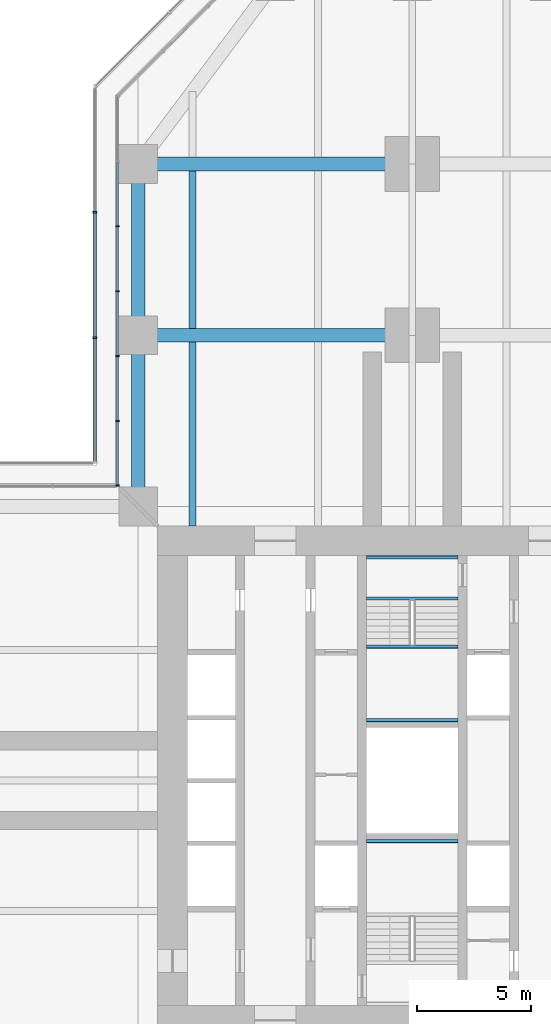
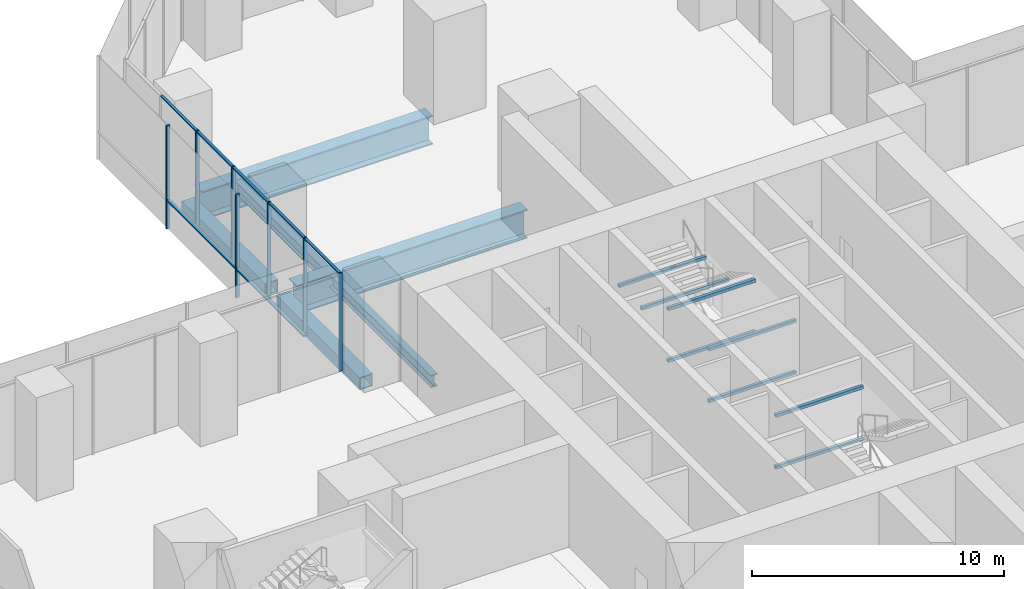
# One storey, part 8 of 23: 14 beams, 14 members, 2 elements without a shape of their own.
"""IFC4 building model written with IfcOpenShell, lengths in metres."""

from ifc_helpers import new_model, si_unit, direction, frame, origin, origin_2d, place, context, subcontext, project, spatial, rectangle, hollow_rectangle, i_section, extrude, material, material_profile, profile_set, type_object, element, aggregate, save


model = new_model("IFC4")

# Units and contexts
model_context = context("Model", 3, precision=1e-05, world=origin(), true_north=direction((0.0, 1.0)))
body_context = subcontext(model_context, "Body", "Model", "MODEL_VIEW")
ifc_project = project(units=[si_unit("LENGTHUNIT", "METRE"), si_unit("AREAUNIT", "SQUARE_METRE"), si_unit("VOLUMEUNIT", "CUBIC_METRE"), si_unit("PLANEANGLEUNIT", "RADIAN"), si_unit("MASSUNIT", "GRAM", prefix="KILO")], contexts=[model_context])

# Site, building, storey
site_placement = place(None, origin())
site = spatial("IfcSite", under=ifc_project, at=site_placement, CompositionType="ELEMENT")
building_placement = place(site_placement, origin())
building = spatial("IfcBuilding", under=site, at=building_placement, Name="Mizan Broadcast Tower", CompositionType="ELEMENT")
storey_placement = place(building_placement, frame((0.0, 0.0, 23.0)))
storey = spatial("IfcBuildingStorey", under=building, at=storey_placement, Name="L03", CompositionType="ELEMENT", Elevation=23.0)

# Beams
ifc_material_1 = material(Name="Steel S355", Category="steel")
ifc_material_profile_1 = material_profile(ifc_material_1, hollow_rectangle(XDim=0.60009765625, YDim=0.60009765625, WallThickness=0.0400390625, at=origin_2d()), Name="BOX 600x600x40")
ifc_profile_set_1 = profile_set([ifc_material_profile_1], Name="Steel S355")
beam_type_1 = type_object("IfcBeamType", Name="EDGE BEAM BOX 600x600x40", PredefinedType="SPANDREL", material=ifc_profile_set_1)
for number, where, z_axis, x_axis, name in (
    (1, (-12.0, 12.449951171875, -0.550048828125), (0.0, 1.0, 0.0), (-1.0, 0.0, 0.0), "Edge beam BOX 600x600x40 L03 north arm"),
    (2, (-12.0, 19.949951171875, -0.550048828125), (0.0, 1.0, 0.0), (-1.0, 0.0, 0.0), "Edge beam BOX 600x600x40 L03 north arm"),
):
    element("IfcBeam", number, at=place(storey_placement, frame(where, z_axis=z_axis, x_axis=x_axis)), inside=storey, type_object=beam_type_1, Name=name, PredefinedType="SPANDREL", context=body_context, shape_type="SweptSolid", body=[
        extrude(hollow_rectangle(XDim=0.60009765625, YDim=0.60009765625, WallThickness=0.0400390625, at=origin_2d()), origin(), (0.0, 0.0, 1.0), 6.60009765625),
    ])
ifc_material_2 = material(Name="Steel S460", Category="steel")
ifc_material_profile_2 = material_profile(ifc_material_2, i_section(OverallWidth=0.60009765625, OverallDepth=1.39990234375, WebThickness=0.02490234375, FlangeThickness=0.06005859375, at=origin_2d()), Name="WPG 1400x600")
ifc_profile_set_2 = profile_set([ifc_material_profile_2], Name="Steel S460")
beam_type_2 = type_object("IfcBeamType", Name="GIRDER WPG 1400x600", PredefinedType="BEAM", material=ifc_profile_set_2)
for number, where, z_axis, x_axis, name in (
    (3, (-0.719970703125, 19.5, -0.949951171875), (-1.0, 0.0, 0.0), (0.0, -1.0, 0.0), "Girder WPG 1400x600 L03 north arm"),
    (4, (-0.719970703125, 27.0, -0.949951171875), (-1.0, 0.0, 0.0), (0.0, -1.0, 0.0), "Girder WPG 1400x600 L03 north arm"),
):
    element("IfcBeam", number, at=place(storey_placement, frame(where, z_axis=z_axis, x_axis=x_axis)), inside=storey, type_object=beam_type_2, Name=name, PredefinedType="BEAM", context=body_context, shape_type="SweptSolid", body=[
        extrude(i_section(OverallWidth=0.60009765625, OverallDepth=1.39990234375, WebThickness=0.02490234375, FlangeThickness=0.06005859375, at=origin_2d()), origin(), (0.0, 0.0, 1.0), 10.56005859375),
    ])

# Curtain wall, members
ifc_material_3 = material(Name="Aluminium framed glazing", Category="aluminium")
curtain_wall_type_1 = type_object("IfcCurtainWallType", Name="PODIUM CURTAIN WALL", PredefinedType="USERDEFINED", material=ifc_material_3)
curtain_wall_1_placement = place(storey_placement, origin())
curtain_wall_1 = element("IfcCurtainWall", 5, at=curtain_wall_1_placement, inside=storey, type_object=curtain_wall_type_1, Name="Podium curtain wall L03 N side", ObjectType="PODIUM CURTAIN WALL", PredefinedType="USERDEFINED")
ifc_material_4 = material(Name="Aluminium, pale anodised", Category="aluminium")
ifc_material_profile_3 = material_profile(ifc_material_4, rectangle(XDim=0.159912109375, YDim=0.06005859375, at=origin_2d()), Name="MULLION 160x60")
ifc_profile_set_3 = profile_set([ifc_material_profile_3], Name="Aluminium, pale anodised")
member_type_1 = type_object("IfcMemberType", Name="INNER SKIN MULLION 60x160", PredefinedType="MULLION", material=ifc_profile_set_3)
member_1_placement = place(storey_placement, frame((-12.89990234375, 24.2724609375, 0.0), z_axis=(0.0, 0.0, 1.0), x_axis=(1.0, 0.0, 0.0)))
member_1 = element("IfcMember", 6, at=member_1_placement, type_object=member_type_1, Name="Podium curtain wall L03 N side mullion 3", PredefinedType="MULLION", context=body_context, shape_type="SweptSolid", body=[
    extrude(rectangle(XDim=0.159912109375, YDim=0.06005859375, at=origin_2d()), origin(), (0.0, 0.0, 1.0), 4.75),
])
member_2_placement = place(storey_placement, frame((-12.89990234375, 21.42919921875, 0.0), z_axis=(0.0, 0.0, 1.0), x_axis=(1.0, 0.0, 0.0)))
member_2 = element("IfcMember", 7, at=member_2_placement, type_object=member_type_1, Name="Podium curtain wall L03 N side mullion 4", PredefinedType="MULLION", context=body_context, shape_type="SweptSolid", body=[
    extrude(rectangle(XDim=0.159912109375, YDim=0.06005859375, at=origin_2d()), origin(), (0.0, 0.0, 1.0), 4.75),
])
member_3_placement = place(storey_placement, frame((-12.89990234375, 18.586181640625, 0.0), z_axis=(0.0, 0.0, 1.0), x_axis=(1.0, 0.0, 0.0)))
member_3 = element("IfcMember", 8, at=member_3_placement, type_object=member_type_1, Name="Podium curtain wall L03 N side mullion 5", PredefinedType="MULLION", context=body_context, shape_type="SweptSolid", body=[
    extrude(rectangle(XDim=0.159912109375, YDim=0.06005859375, at=origin_2d()), origin(), (0.0, 0.0, 1.0), 4.75),
])
member_4_placement = place(storey_placement, frame((-12.89990234375, 15.7431640625, 0.0), z_axis=(0.0, 0.0, 1.0), x_axis=(1.0, 0.0, 0.0)))
member_4 = element("IfcMember", 9, at=member_4_placement, type_object=member_type_1, Name="Podium curtain wall L03 N side mullion 6", PredefinedType="MULLION", context=body_context, shape_type="SweptSolid", body=[
    extrude(rectangle(XDim=0.159912109375, YDim=0.06005859375, at=origin_2d()), origin(), (0.0, 0.0, 1.0), 4.75),
])
member_5_placement = place(storey_placement, frame((-12.89990234375, 12.929931640625, 0.0), z_axis=(0.0, 0.0, 1.0), x_axis=(1.0, 0.0, 0.0)))
member_5 = element("IfcMember", 10, at=member_5_placement, type_object=member_type_1, Name="Podium curtain wall L03 N side mullion 7", PredefinedType="MULLION", context=body_context, shape_type="SweptSolid", body=[
    extrude(rectangle(XDim=0.159912109375, YDim=0.06005859375, at=origin_2d()), origin(), (0.0, 0.0, 1.0), 4.75),
])
ifc_material_5 = material(Name="Aluminium, pale anodised", Category="aluminium")
ifc_material_profile_4 = material_profile(ifc_material_5, rectangle(XDim=0.1201171875, YDim=0.06005859375, at=origin_2d()), Name="TRANSOM 120x60")
ifc_profile_set_4 = profile_set([ifc_material_profile_4], Name="Aluminium, pale anodised")
member_type_2 = type_object("IfcMemberType", Name="INNER SKIN TRANSOM 60x120", PredefinedType="USERDEFINED", material=ifc_profile_set_4)
member_6_placement = place(storey_placement, frame((-12.89990234375, 27.08544921875, 4.719970703125), z_axis=(0.0, -1.0, 0.0), x_axis=(1.0, 0.0, 0.0)))
member_6 = element("IfcMember", 11, at=member_6_placement, type_object=member_type_2, Name="Podium curtain wall L03 N side transom 2.1", ObjectType="TRANSOM", PredefinedType="USERDEFINED", context=body_context, shape_type="SweptSolid", body=[
    extrude(rectangle(XDim=0.1201171875, YDim=0.06005859375, at=origin_2d()), origin(), (0.0, 0.0, 1.0), 2.782958984375),
])
member_7_placement = place(storey_placement, frame((-12.89990234375, 24.242431640625, 4.719970703125), z_axis=(0.0, -1.0, 0.0), x_axis=(1.0, 0.0, 0.0)))
member_7 = element("IfcMember", 12, at=member_7_placement, type_object=member_type_2, Name="Podium curtain wall L03 N side transom 3.1", ObjectType="TRANSOM", PredefinedType="USERDEFINED", context=body_context, shape_type="SweptSolid", body=[
    extrude(rectangle(XDim=0.1201171875, YDim=0.06005859375, at=origin_2d()), origin(), (0.0, 0.0, 1.0), 2.783203125),
])
member_8_placement = place(storey_placement, frame((-12.89990234375, 21.399169921875, 4.719970703125), z_axis=(0.0, -1.0, 0.0), x_axis=(1.0, 0.0, 0.0)))
member_8 = element("IfcMember", 13, at=member_8_placement, type_object=member_type_2, Name="Podium curtain wall L03 N side transom 4.1", ObjectType="TRANSOM", PredefinedType="USERDEFINED", context=body_context, shape_type="SweptSolid", body=[
    extrude(rectangle(XDim=0.1201171875, YDim=0.06005859375, at=origin_2d()), origin(), (0.0, 0.0, 1.0), 2.782958984375),
])
member_9_placement = place(storey_placement, frame((-12.89990234375, 18.55615234375, 4.719970703125), z_axis=(0.0, -1.0, 0.0), x_axis=(1.0, 0.0, 0.0)))
member_9 = element("IfcMember", 14, at=member_9_placement, type_object=member_type_2, Name="Podium curtain wall L03 N side transom 5.1", ObjectType="TRANSOM", PredefinedType="USERDEFINED", context=body_context, shape_type="SweptSolid", body=[
    extrude(rectangle(XDim=0.1201171875, YDim=0.06005859375, at=origin_2d()), origin(), (0.0, 0.0, 1.0), 2.782958984375),
])
member_10_placement = place(storey_placement, frame((-12.89990234375, 15.713134765625, 4.719970703125), z_axis=(0.0, -1.0, 0.0), x_axis=(1.0, 0.0, 0.0)))
member_10 = element("IfcMember", 15, at=member_10_placement, type_object=member_type_2, Name="Podium curtain wall L03 N side transom 6.1", ObjectType="TRANSOM", PredefinedType="USERDEFINED", context=body_context, shape_type="SweptSolid", body=[
    extrude(rectangle(XDim=0.1201171875, YDim=0.06005859375, at=origin_2d()), origin(), (0.0, 0.0, 1.0), 2.753173828125),
])
aggregate(curtain_wall_1, [member_1, member_2, member_3, member_4, member_5, member_6, member_7, member_8, member_9, member_10])

# Beams
ifc_material_6 = material(Name="Steel S355", Category="steel")
ifc_material_profile_5 = material_profile(ifc_material_6, hollow_rectangle(XDim=0.14990234375, YDim=0.14990234375, WallThickness=0.008056640625, InnerFilletRadius=0.008056640625, OuterFilletRadius=0.011962890625, at=origin_2d()), Name="SHS 150x150x8")
ifc_profile_set_5 = profile_set([ifc_material_profile_5], Name="Steel S355")
beam_type_3 = type_object("IfcBeamType", Name="LANDING TRIMMER SHS 150x150x8", PredefinedType="BEAM", material=ifc_profile_set_5)
for number, where, z_axis, x_axis, name in (
    (16, (-2.0, -2.64990234375, 0.97509765625), (1.0, 0.0, 0.0), (0.0, 1.0, 0.0), "Stair A landing trimmer L03"),
    (17, (-2.0, -2.64990234375, 3.47509765625), (1.0, 0.0, 0.0), (0.0, 1.0, 0.0), "Stair A landing trimmer L03"),
    (18, (2.0, 5.864990234375, 0.97509765625), (-1.0, 0.0, 0.0), (0.0, -1.0, 0.0), "Stair B landing trimmer L03"),
    (19, (2.0, 2.64990234375, 0.97509765625), (-1.0, 0.0, 0.0), (0.0, -1.0, 0.0), "Stair B landing trimmer L03"),
    (20, (2.0, 9.77490234375, 2.22509765625), (-1.0, 0.0, 0.0), (0.0, -1.0, 0.0), "Stair B landing trimmer L03"),
    (21, (2.0, 7.97509765625, 2.22509765625), (-1.0, 0.0, 0.0), (0.0, -1.0, 0.0), "Stair B landing trimmer L03"),
    (22, (2.0, 5.864990234375, 3.47509765625), (-1.0, 0.0, 0.0), (0.0, -1.0, 0.0), "Stair B landing trimmer L03"),
    (23, (2.0, 2.64990234375, 3.47509765625), (-1.0, 0.0, 0.0), (0.0, -1.0, 0.0), "Stair B landing trimmer L03"),
):
    element("IfcBeam", number, at=place(storey_placement, frame(where, z_axis=z_axis, x_axis=x_axis)), inside=storey, type_object=beam_type_3, Name=name, PredefinedType="BEAM", context=body_context, shape_type="SweptSolid", body=[
        extrude(hollow_rectangle(XDim=0.14990234375, YDim=0.14990234375, WallThickness=0.008056640625, InnerFilletRadius=0.008056640625, OuterFilletRadius=0.011962890625, at=origin_2d()), origin(), (0.0, 0.0, 1.0), 4.0),
    ])

# Curtain wall, members
ifc_material_7 = material(Name="Aluminium framed glazing", Category="aluminium")
curtain_wall_type_2 = type_object("IfcCurtainWallType", Name="OUTER SKIN", PredefinedType="USERDEFINED", material=ifc_material_7)
curtain_wall_2_placement = place(storey_placement, origin())
curtain_wall_2 = element("IfcCurtainWall", 24, at=curtain_wall_2_placement, inside=storey, type_object=curtain_wall_type_2, Name="Outer skin L03 N side", ObjectType="OUTER SKIN", PredefinedType="USERDEFINED")
ifc_material_8 = material(Name="Aluminium, pale anodised", Category="aluminium")
ifc_material_profile_6 = material_profile(ifc_material_8, rectangle(XDim=0.159912109375, YDim=0.080078125, at=origin_2d()), Name="MULLION 160x80")
ifc_profile_set_6 = profile_set([ifc_material_profile_6], Name="Aluminium, pale anodised")
member_type_3 = type_object("IfcMemberType", Name="OUTER SKIN MULLION 80x160", PredefinedType="MULLION", material=ifc_profile_set_6)
member_11_placement = place(storey_placement, frame((-13.89990234375, 24.8818359375, 0.0), z_axis=(0.0, 0.0, 1.0), x_axis=(1.0, 0.0, 0.0)))
member_11 = element("IfcMember", 25, at=member_11_placement, type_object=member_type_3, Name="Outer skin L03 N side mullion 2", PredefinedType="MULLION", context=body_context, shape_type="SweptSolid", body=[
    extrude(rectangle(XDim=0.159912109375, YDim=0.080078125, at=origin_2d()), origin(), (0.0, 0.0, 1.0), 5.0),
])
member_12_placement = place(storey_placement, frame((-13.89990234375, 19.390869140625, 0.0), z_axis=(0.0, 0.0, 1.0), x_axis=(1.0, 0.0, 0.0)))
member_12 = element("IfcMember", 26, at=member_12_placement, type_object=member_type_3, Name="Outer skin L03 N side mullion 3", PredefinedType="MULLION", context=body_context, shape_type="SweptSolid", body=[
    extrude(rectangle(XDim=0.159912109375, YDim=0.080078125, at=origin_2d()), origin(), (0.0, 0.0, 1.0), 5.0),
])
ifc_material_9 = material(Name="Aluminium, pale anodised", Category="aluminium")
ifc_material_profile_7 = material_profile(ifc_material_9, rectangle(XDim=0.159912109375, YDim=0.06005859375, at=origin_2d()), Name="TRANSOM 160x60")
ifc_profile_set_7 = profile_set([ifc_material_profile_7], Name="Aluminium, pale anodised")
member_type_4 = type_object("IfcMemberType", Name="OUTER SKIN TRANSOM 60x160", PredefinedType="USERDEFINED", material=ifc_profile_set_7)
member_13_placement = place(storey_placement, frame((-13.89990234375, 24.841796875, 1.39990234375), z_axis=(0.0, -1.0, 0.0), x_axis=(1.0, 0.0, 0.0)))
member_13 = element("IfcMember", 27, at=member_13_placement, type_object=member_type_4, Name="Outer skin L03 N side transom 2.1", ObjectType="TRANSOM", PredefinedType="USERDEFINED", context=body_context, shape_type="SweptSolid", body=[
    extrude(rectangle(XDim=0.159912109375, YDim=0.06005859375, at=origin_2d()), origin(), (0.0, 0.0, 1.0), 5.410888671875),
])
member_14_placement = place(storey_placement, frame((-13.89990234375, 19.350830078125, 1.39990234375), z_axis=(0.0, -1.0, 0.0), x_axis=(1.0, 0.0, 0.0)))
member_14 = element("IfcMember", 28, at=member_14_placement, type_object=member_type_4, Name="Outer skin L03 N side transom 3.1", ObjectType="TRANSOM", PredefinedType="USERDEFINED", context=body_context, shape_type="SweptSolid", body=[
    extrude(rectangle(XDim=0.159912109375, YDim=0.06005859375, at=origin_2d()), origin(), (0.0, 0.0, 1.0), 5.370849609375),
])
aggregate(curtain_wall_2, [member_11, member_12, member_13, member_14])

# Beams
ifc_material_10 = material(Name="Steel S355", Category="steel")
ifc_material_profile_8 = material_profile(ifc_material_10, i_section(OverallWidth=0.300048828125, OverallDepth=0.590087890625, WebThickness=0.012939453125, FlangeThickness=0.02490234375, FilletRadius=0.027099609375, at=origin_2d()), Name="HEA 600")
ifc_profile_set_8 = profile_set([ifc_material_profile_8], Name="Steel S355")
beam_type_4 = type_object("IfcBeamType", Name="SECONDARY BEAM HEA 600", PredefinedType="JOIST", material=ifc_profile_set_8)
beam_1_placement = place(storey_placement, frame((-9.625, 11.14990234375, -0.544921875), z_axis=(0.0, 1.0, 0.0), x_axis=(-1.0, 0.0, 0.0)))
element("IfcBeam", 29, at=beam_1_placement, inside=storey, type_object=beam_type_4, Name="Secondary beam HEA 600 L03 north arm", PredefinedType="JOIST", context=body_context, shape_type="SweptSolid", body=[
    extrude(i_section(OverallWidth=0.300048828125, OverallDepth=0.590087890625, WebThickness=0.012939453125, FlangeThickness=0.02490234375, FilletRadius=0.027099609375, at=origin_2d()), origin(), (0.0, 0.0, 1.0), 8.050048828125),
])
beam_2_placement = place(storey_placement, frame((-9.625, 19.800048828125, -0.544921875), z_axis=(0.0, 1.0, 0.0), x_axis=(-1.0, 0.0, 0.0)))
element("IfcBeam", 30, at=beam_2_placement, inside=storey, type_object=beam_type_4, Name="Secondary beam HEA 600 L03 north arm", PredefinedType="JOIST", context=body_context, shape_type="SweptSolid", body=[
    extrude(i_section(OverallWidth=0.300048828125, OverallDepth=0.590087890625, WebThickness=0.012939453125, FlangeThickness=0.02490234375, FilletRadius=0.027099609375, at=origin_2d()), origin(), (0.0, 0.0, 1.0), 6.89990234375),
])

save(model, "model.ifc")
